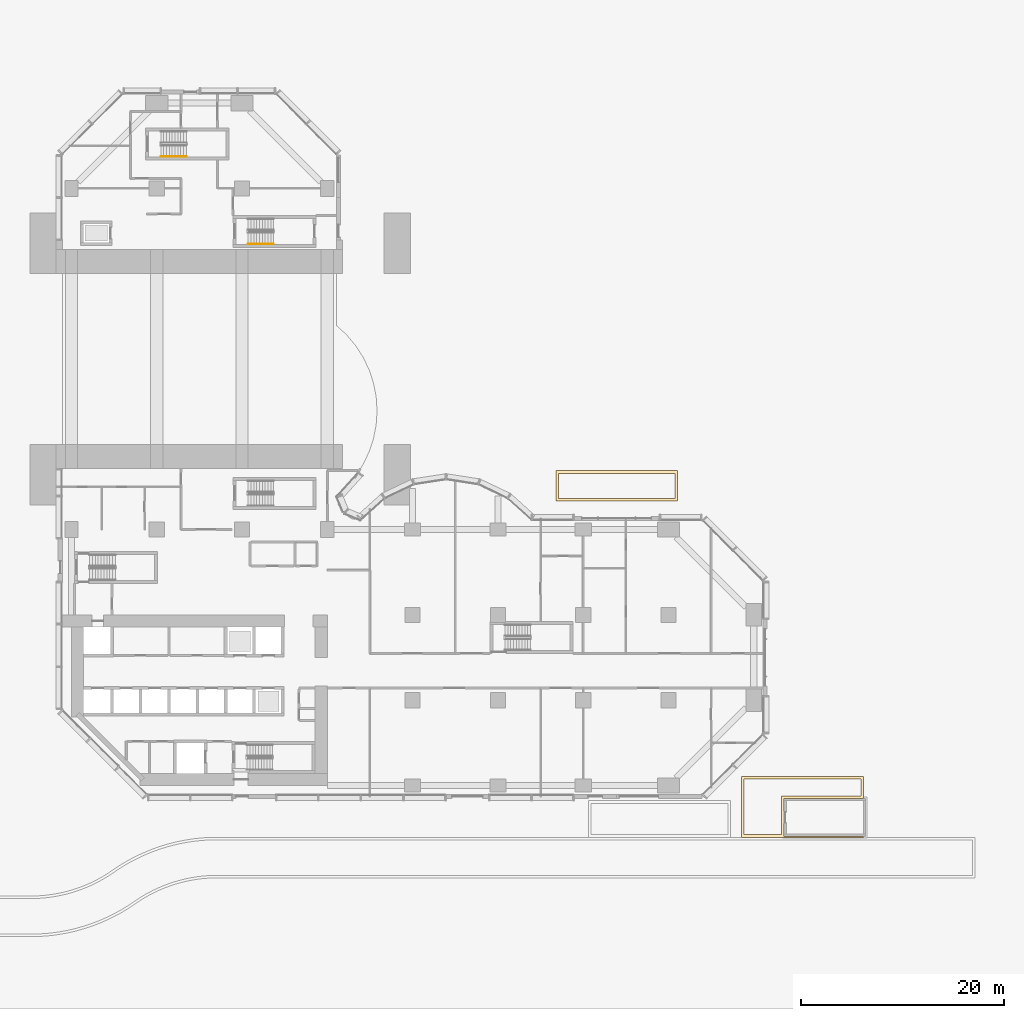
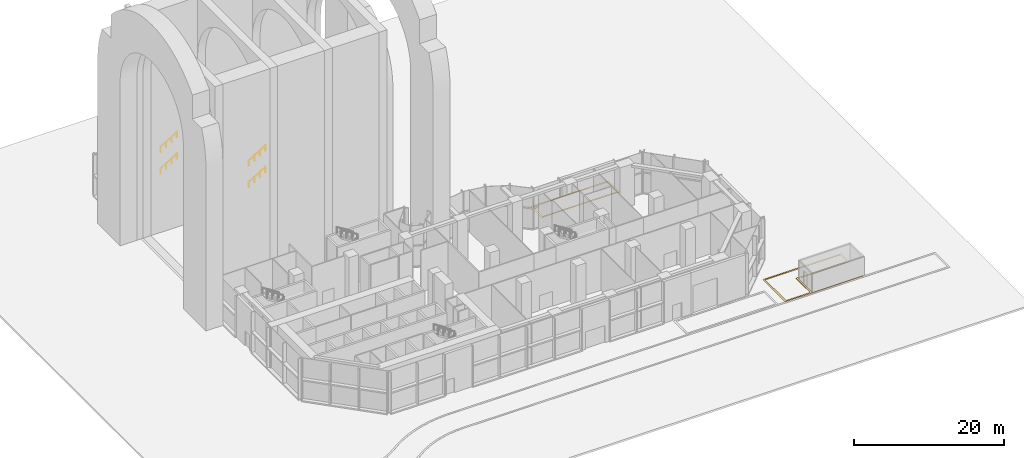
# One storey, part 19 of 21: 4 railings, 2 coverings.
"""IFC4 building model written with IfcOpenShell, lengths in metres."""

import ifcopenshell
import ifcopenshell.guid

model = None  # the IFC model being written
_history = None  # IfcOwnerHistory: only IFC2X3 demands one
_inside = {}  # id of a spatial element -> (the spatial element, [elements in it])
_under = {}  # id of a project, library or spatial element -> (it, [spatial elements below it])
_declared = {}  # id of a project -> (the project, [libraries it declares])
_typed = {}  # id of a type object -> (the type object, [elements of that type])
_made_of = {}  # id of a material, layer set ... -> (it, [elements and type objects made of it])


def new_model(schema):
    """Start an empty IFC model of exactly this schema.

    Asked for "IFC4X3", IfcOpenShell would pick the latest addendum, in which some entities
    have other attributes; the version numbers below select the first issue.
    IFC2X3 requires an IfcOwnerHistory on every rooted entity: one is made here for all.
    """
    global model, _history
    if schema == "IFC4X3":
        model = ifcopenshell.file(schema_version=(4, 3, 0, 0))
    else:
        model = ifcopenshell.file(schema=schema)
    _inside.clear()
    _under.clear()
    _declared.clear()
    _typed.clear()
    _made_of.clear()
    _history = None
    if model.schema == "IFC2X3":
        org = make("IfcOrganization", Name="unknown")
        user = make(
            "IfcPersonAndOrganization",
            ThePerson=make("IfcPerson", FamilyName="unknown"),
            TheOrganization=org,
        )
        app = make(
            "IfcApplication",
            ApplicationDeveloper=org,
            Version="unknown",
            ApplicationFullName="unknown",
            ApplicationIdentifier="unknown",
        )
        _history = make(
            "IfcOwnerHistory",
            OwningUser=user,
            OwningApplication=app,
            ChangeAction="ADDED",
            CreationDate=0,
        )
    return model


def make(cls, **values):
    """One entity of the class cls with the attributes given. An attribute that is None is left unset."""
    return model.create_entity(
        cls, **{name: value for name, value in values.items() if value is not None}
    )


def rooted(cls, **values):
    """An entity with a GlobalId (a new one), such as an element, a storey or a relation."""
    return make(cls, GlobalId=ifcopenshell.guid.new(), OwnerHistory=_history, **values)


def si_unit(unit_type, name, prefix=None):
    """IfcSIUnit, for example si_unit("LENGTHUNIT", "METRE", prefix="MILLI")."""
    return make("IfcSIUnit", UnitType=unit_type, Prefix=prefix, Name=name)


def assignment(units):
    """IfcUnitAssignment: the units of a project."""
    return None if units is None else make("IfcUnitAssignment", Units=units)


def point(xyz):
    """IfcCartesianPoint."""
    return None if xyz is None else make("IfcCartesianPoint", Coordinates=xyz)


def direction(xyz):
    """IfcDirection."""
    return None if xyz is None else make("IfcDirection", DirectionRatios=xyz)


def frame(location, z_axis=None, x_axis=None):
    """IfcAxis2Placement3D, a coordinate frame: its origin and axes. An axis left out is left unset."""
    return make(
        "IfcAxis2Placement3D",
        Location=point(location),
        Axis=direction(z_axis),
        RefDirection=direction(x_axis),
    )


def frame_2d(location, x_axis=None):
    """IfcAxis2Placement2D, a coordinate frame in the plane: its origin and x axis."""
    return make(
        "IfcAxis2Placement2D", Location=point(location), RefDirection=direction(x_axis)
    )


def origin():
    """The frame at (0, 0, 0) with its axes left unset."""
    return frame((0.0, 0.0, 0.0))


def origin_2d():
    """The frame at (0, 0) in the plane with its x axis left unset."""
    return frame_2d((0.0, 0.0))


def place(relative_to, where):
    """IfcLocalPlacement: puts the frame where relative to a parent placement (None: the world)."""
    return make(
        "IfcLocalPlacement", PlacementRelTo=relative_to, RelativePlacement=where
    )


def context(
    kind, dimensions, precision=None, world=None, true_north=None, identifier=None
):
    """IfcGeometricRepresentationContext, for example the 3D "Model" context."""
    return make(
        "IfcGeometricRepresentationContext",
        ContextIdentifier=identifier,
        ContextType=kind,
        CoordinateSpaceDimension=dimensions,
        Precision=precision,
        WorldCoordinateSystem=world,
        TrueNorth=true_north,
    )


def subcontext(parent, identifier, kind, view, scale=None):
    """IfcGeometricRepresentationSubContext, for example "Body" below "Model"."""
    return make(
        "IfcGeometricRepresentationSubContext",
        ContextIdentifier=identifier,
        ContextType=kind,
        ParentContext=parent,
        TargetScale=scale,
        TargetView=view,
    )


def project(units=None, contexts=None):
    """IfcProject with its units and contexts."""
    return rooted(
        "IfcProject",
        Name="project",
        RepresentationContexts=contexts,
        UnitsInContext=assignment(units),
    )


def spatial(cls, under=None, at=None, **own):
    """A site, building, storey or space (cls), placed at a placement, below another one or the project."""
    s = rooted(cls, ObjectPlacement=at, **own)
    if under is not None:
        _under.setdefault(under.id(), (under, []))[1].append(s)
    return s


def polyline(points):
    """IfcPolyline through the points."""
    return make("IfcPolyline", Points=[point(p) for p in points])


def profile(cls, at=None, kind="AREA", **sizes):
    """A parametric profile (cls). Its sizes go by their IFC names, for example OverallWidth=200.0."""
    return make(cls, ProfileType=kind, Position=at, **sizes)


def circle(**sizes):
    """IfcCircleProfileDef."""
    return profile("IfcCircleProfileDef", **sizes)


def outline(outer, holes=None, kind="AREA"):
    """IfcArbitraryClosedProfileDef: a profile drawn as a closed curve; with holes, ...WithVoids."""
    if holes is None:
        return make("IfcArbitraryClosedProfileDef", ProfileType=kind, OuterCurve=outer)
    return make(
        "IfcArbitraryProfileDefWithVoids",
        ProfileType=kind,
        OuterCurve=outer,
        InnerCurves=holes,
    )


def extrude(swept, where, along, depth):
    """IfcExtrudedAreaSolid: the profile swept, set in the frame where, extruded along a direction by depth."""
    return make(
        "IfcExtrudedAreaSolid",
        SweptArea=swept,
        Position=where,
        ExtrudedDirection=direction(along),
        Depth=depth,
    )


def shape(context_of_items, identifier, shape_type, items):
    """IfcShapeRepresentation: the items that make up one representation, for example the "Body"."""
    return make(
        "IfcShapeRepresentation",
        ContextOfItems=context_of_items,
        RepresentationIdentifier=identifier,
        RepresentationType=shape_type,
        Items=items,
    )


def material(Name=None, Category=None):
    """IfcMaterial."""
    return make("IfcMaterial", Name=Name, Category=Category)


def layer(
    of_material, thickness, ventilated=None, Name=None, Category=None, Priority=None
):
    """IfcMaterialLayer: one layer of a wall or slab, of a material (None: an air gap)."""
    return make(
        "IfcMaterialLayer",
        Material=of_material,
        LayerThickness=thickness,
        IsVentilated=ventilated,
        Name=Name,
        Category=Category,
        Priority=Priority,
    )


def layer_set(layers, Name=None):
    """IfcMaterialLayerSet."""
    return make("IfcMaterialLayerSet", MaterialLayers=layers, LayerSetName=Name)


def made_of(thing, what):
    """Note that an element or type object is made of a material, layer set ...; save() writes the relation."""
    if what is not None:
        _made_of.setdefault(what.id(), (what, []))[1].append(thing)
    return thing


def type_object(cls, material=None, **own):
    """A type object (cls), such as IfcWallType, which elements share."""
    return made_of(rooted(cls, **own), material)


def element(
    cls,
    number,
    at=None,
    inside=None,
    cuts=None,
    type_object=None,
    material=None,
    context=None,
    identifier="Body",
    shape_type=None,
    held_by="IfcProductDefinitionShape",
    body=None,
    shapes=None,
    **own,
):
    """One element of the class cls, such as IfcWall. Its Tag is "e" and its number.

    at: its placement. inside: the storey or other place that contains it. cuts: it is an
    opening in that element (IfcRelVoidsElement). A single representation is given by context,
    identifier, shape_type and body (its items); several are given by shapes. held_by: the class
    of the entity that holds the representations. save() writes the other relations.
    """
    e = rooted(cls, Tag="e%d" % number, ObjectPlacement=at, **own)
    if body is not None:
        shapes = [shape(context, identifier, shape_type, body)]
    if shapes is not None:
        e.Representation = make(held_by, Representations=shapes)
    if inside is not None:
        _inside.setdefault(inside.id(), (inside, []))[1].append(e)
    if cuts is not None:
        rooted(
            "IfcRelVoidsElement", RelatingBuildingElement=cuts, RelatedOpeningElement=e
        )
    if type_object is not None:
        _typed.setdefault(type_object.id(), (type_object, []))[1].append(e)
    return made_of(e, material)


def aggregate(whole, parts):
    """IfcRelAggregates: a whole, such as a stair, and the parts it consists of."""
    return rooted("IfcRelAggregates", RelatingObject=whole, RelatedObjects=parts)


def save(model, path):
    """Write the relations noted so far, then the file.

    IfcRelAggregates (storeys below a building ...), IfcRelContainedInSpatialStructure (elements
    in a storey), IfcRelDefinesByType, IfcRelAssociatesMaterial and IfcRelDeclares: one each for
    every whole, place, type object, material and project.
    """
    for whole, parts in _under.values():
        aggregate(whole, parts)
    for where, things in _inside.values():
        rooted(
            "IfcRelContainedInSpatialStructure",
            RelatedElements=things,
            RelatingStructure=where,
        )
    for kind, things in _typed.values():
        rooted("IfcRelDefinesByType", RelatedObjects=things, RelatingType=kind)
    for what, things in _made_of.values():
        rooted("IfcRelAssociatesMaterial", RelatedObjects=things, RelatingMaterial=what)
    for by, libraries in _declared.values():
        rooted("IfcRelDeclares", RelatingContext=by, RelatedDefinitions=libraries)
    model.write(path)


model = new_model("IFC4")

# Units and contexts
model_context = context("Model", 3, precision=1e-05, world=origin(), true_north=direction((0.0, 1.0)))
body_context = subcontext(model_context, "Body", "Model", "MODEL_VIEW")
ifc_project = project(units=[si_unit("LENGTHUNIT", "METRE"), si_unit("AREAUNIT", "SQUARE_METRE"), si_unit("VOLUMEUNIT", "CUBIC_METRE"), si_unit("PLANEANGLEUNIT", "RADIAN"), si_unit("MASSUNIT", "GRAM", prefix="KILO")], contexts=[model_context])

# Site, building, storey
site_placement = place(None, origin())
site = spatial("IfcSite", under=ifc_project, at=site_placement, CompositionType="ELEMENT")
building_placement = place(site_placement, origin())
building = spatial("IfcBuilding", under=site, at=building_placement, Name="Brevane Broadcast Tower", CompositionType="ELEMENT")
storey_placement = place(building_placement, origin())
storey = spatial("IfcBuildingStorey", under=building, at=storey_placement, Name="L00", CompositionType="ELEMENT", Elevation=0.0)

# Coverings
ifc_material_1 = material(Name="Granite kerb", Category="masonry")
ifc_layer = layer(ifc_material_1, 0.02001953125)
ifc_layer_set = layer_set([ifc_layer], Name="Bay kerb line 20")
covering_type = type_object("IfcCoveringType", Name="Bay kerb line 20", PredefinedType="FLOORING", material=ifc_layer_set)
covering_1_placement = place(storey_placement, origin())
element("IfcCovering", 1, at=covering_1_placement, inside=storey, type_object=covering_type, Name="Service yard kerb line", PredefinedType="FLOORING", context=body_context, shape_type="SweptSolid", body=[
    extrude(outline(polyline([(66.0, -5.10009765625), (78.0, -5.10009765625), (78.0, -5.0), (70.199951171875, -5.0), (70.199951171875, -1.300048828125), (78.0, -1.300048828125), (78.0, 0.89990234375), (66.0, 0.89990234375), (66.0, -5.10009765625)]), holes=[polyline([(69.949951171875, -4.85009765625), (69.949951171875, -1.050048828125), (77.75, -1.050048828125), (77.75, 0.64990234375), (66.25, 0.64990234375), (66.25, -4.85009765625), (69.949951171875, -4.85009765625)])]), origin(), (0.0, 0.0, 1.0), 0.02001953125),
])
covering_2_placement = place(storey_placement, origin())
element("IfcCovering", 2, at=covering_2_placement, inside=storey, type_object=covering_type, Name="Drop-off kerb line", PredefinedType="FLOORING", context=body_context, shape_type="SweptSolid", body=[
    extrude(outline(polyline([(47.699951171875, 28.0), (59.699951171875, 28.0), (59.699951171875, 31.0), (47.699951171875, 31.0), (47.699951171875, 28.0)]), holes=[polyline([(59.449951171875, 28.25), (59.449951171875, 30.75), (47.949951171875, 30.75), (47.949951171875, 28.25), (59.449951171875, 28.25)])]), origin(), (0.0, 0.0, 1.0), 0.02001953125),
])

# Railings
ifc_material_2 = material(Name="Steel S355", Category="steel")
railing_type = type_object("IfcRailingType", Name="Exit stair handrail", PredefinedType="HANDRAIL", material=ifc_material_2)
for number, where, name in (
    (3, (17.39990234375, 53.35009765625, 0.175048828125), "L00 ST-5 stair handrail 1"),
    (4, (17.39990234375, 53.35009765625, 3.675048828125), "L00 ST-5 stair handrail 3"),
    (5, (8.800048828125, 61.949951171875, 0.175048828125), "L00 ST-6 stair handrail 1"),
    (6, (8.800048828125, 61.949951171875, 3.675048828125), "L00 ST-6 stair handrail 3"),
):
    element("IfcRailing", number, at=place(storey_placement, frame(where)), inside=storey, type_object=railing_type, Name=name, PredefinedType="HANDRAIL", context=body_context, shape_type="SweptSolid", body=[
        extrude(circle(Radius=0.02392578125, at=origin_2d()), frame((0.0, 0.0, 0.8759765625), z_axis=(0.848007534815, 0.0, 0.529984170421), x_axis=(0.0, 1.0, 0.0)), (0.0, 0.0, 1.0), 2.9716796875),
        extrude(circle(Radius=0.02099609375, at=origin_2d()), origin(), (0.0, 0.0, 1.0), 0.851806640625),
        extrude(circle(Radius=0.02099609375, at=origin_2d()), frame((0.840087890625, 0.0, 0.52490234375)), (0.0, 0.0, 1.0), 0.851806640625),
        extrude(circle(Radius=0.02099609375, at=origin_2d()), frame((1.679931640625, 0.0, 1.050048828125)), (0.0, 0.0, 1.0), 0.851806640625),
        extrude(circle(Radius=0.02099609375, at=origin_2d()), frame((2.52001953125, 0.0, 1.574951171875)), (0.0, 0.0, 1.0), 0.851806640625),
    ])

save(model, "model.ifc")
